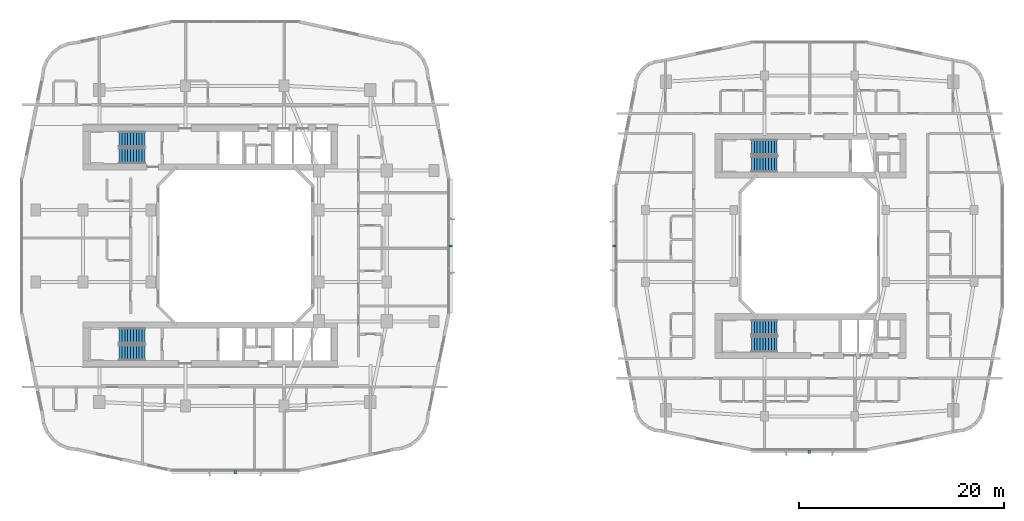
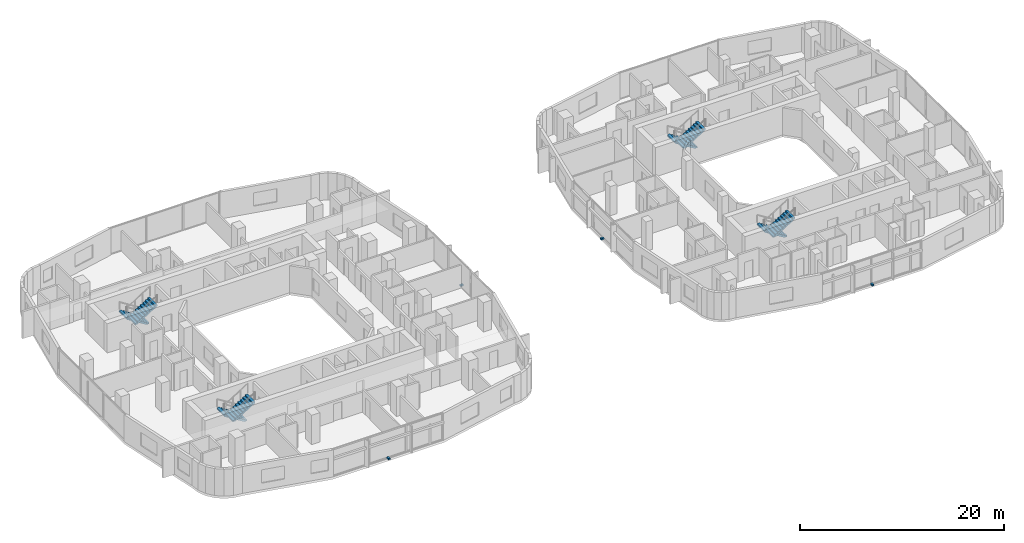
# One storey, part 22 of 27: 8 stair flights, 4 discrete accessories, 4 elements without a shape of their own.
"""IFC4 building model written with IfcOpenShell, lengths in metres."""

from ifc_helpers import new_model, si_unit, derived_unit, direction, frame, origin, origin_2d, place, context, subcontext, project, spatial, polyline, rectangle, outline, extrude, material, type_object, element, aggregate, save


model = new_model("IFC4")

# Units and contexts
model_context = context("Model", 3, precision=1e-05, world=origin(), true_north=direction((0.0, 1.0)))
body_context = subcontext(model_context, "Body", "Model", "MODEL_VIEW")
ifc_project = project(units=[si_unit("LENGTHUNIT", "METRE"), si_unit("AREAUNIT", "SQUARE_METRE"), si_unit("VOLUMEUNIT", "CUBIC_METRE"), si_unit("PLANEANGLEUNIT", "RADIAN"), si_unit("MASSUNIT", "GRAM", prefix="KILO"), derived_unit("THERMALTRANSMITTANCEUNIT", [(si_unit("POWERUNIT", "WATT"), 1), (si_unit("LENGTHUNIT", "METRE"), -2), (si_unit("THERMODYNAMICTEMPERATUREUNIT", "KELVIN"), -1)])], contexts=[model_context])

# Site, building, storey
site_placement = place(None, origin())
site = spatial("IfcSite", under=ifc_project, at=site_placement, CompositionType="ELEMENT")
building_placement = place(site_placement, origin())
building = spatial("IfcBuilding", under=site, at=building_placement, Name="Kivonza Crest Hotel", CompositionType="ELEMENT")
storey_placement = place(building_placement, frame((0.0, 0.0, 38.0)))
storey = spatial("IfcBuildingStorey", under=building, at=storey_placement, Name="L09", CompositionType="ELEMENT", Elevation=38.0)

# Stair, stair flights
ifc_material_1 = material(Name="Concrete C40/50", Category="concrete")
stair_type = type_object("IfcStairType", Name="ST-DL-20R", PredefinedType="HALF_TURN_STAIR", material=ifc_material_1)
stair_1_placement = place(storey_placement, origin())
stair_1 = element("IfcStair", 1, at=stair_1_placement, inside=storey, type_object=stair_type, Name="L09 Protected Exit Stair ST-T1-N", PredefinedType="HALF_TURN_STAIR")
stair_flight_type = type_object("IfcStairFlightType", Name="SFL-RC-10R", PredefinedType="STRAIGHT", material=ifc_material_1)
stair_flight_1_placement = place(storey_placement, frame((12.239990234375, 35.409912109375, 0.0), z_axis=(0.0, 0.0, 1.0), x_axis=(-1.0, 0.0, 0.0)))
stair_flight_1 = element("IfcStairFlight", 2, at=stair_flight_1_placement, type_object=stair_flight_type, Name="ST-T1-N flight 1", NumberOfRisers=10, NumberOfTreads=9, PredefinedType="STRAIGHT", RiserHeight=0.175, TreadLength=0.28, context=body_context, shape_type="SweptSolid", body=[
    extrude(outline(polyline([(0.0, 0.0), (0.0, 0.175048828125), (0.280029296875, 0.175048828125), (0.280029296875, 0.35009765625), (0.56005859375, 0.35009765625), (0.56005859375, 0.52490234375), (0.840087890625, 0.52490234375), (0.840087890625, 0.699951171875), (1.1201171875, 0.699951171875), (1.1201171875, 0.875), (1.39990234375, 0.875), (1.39990234375, 1.050048828125), (1.679931640625, 1.050048828125), (1.679931640625, 1.22509765625), (1.9599609375, 1.22509765625), (1.9599609375, 1.39990234375), (2.239990234375, 1.39990234375), (2.239990234375, 1.574951171875), (2.52001953125, 1.574951171875), (2.52001953125, 1.75), (2.52001953125, 1.398193359375), (0.28271484375, 0.0), (0.0, 0.0)])), frame((0.0, 0.75, 0.0), z_axis=(0.0, -1.0, 0.0), x_axis=(1.0, 0.0, 0.0)), (0.0, 0.0, 1.0), 1.5),
])
stair_flight_2_placement = place(storey_placement, frame((9.719970703125, 33.77001953125, 1.75), z_axis=(0.0, 0.0, 1.0), x_axis=(1.0, 0.0, 0.0)))
stair_flight_2 = element("IfcStairFlight", 3, at=stair_flight_2_placement, type_object=stair_flight_type, Name="ST-T1-N flight 2", NumberOfRisers=10, NumberOfTreads=9, PredefinedType="STRAIGHT", RiserHeight=0.175, TreadLength=0.28, context=body_context, shape_type="SweptSolid", body=[
    extrude(outline(polyline([(0.0, 0.0), (0.0, 0.175048828125), (0.280029296875, 0.175048828125), (0.280029296875, 0.35009765625), (0.56005859375, 0.35009765625), (0.56005859375, 0.52490234375), (0.840087890625, 0.52490234375), (0.840087890625, 0.699951171875), (1.1201171875, 0.699951171875), (1.1201171875, 0.875), (1.39990234375, 0.875), (1.39990234375, 1.050048828125), (1.679931640625, 1.050048828125), (1.679931640625, 1.22509765625), (1.9599609375, 1.22509765625), (1.9599609375, 1.39990234375), (2.239990234375, 1.39990234375), (2.239990234375, 1.574951171875), (2.52001953125, 1.574951171875), (2.52001953125, 1.75), (2.52001953125, 1.398193359375), (0.28271484375, 0.0), (0.0, 0.0)])), frame((0.0, 0.75, 0.0), z_axis=(0.0, -1.0, 0.0), x_axis=(1.0, 0.0, 0.0)), (0.0, 0.0, 1.0), 1.5),
])
aggregate(stair_1, [stair_flight_1, stair_flight_2])

stair_2_placement = place(storey_placement, origin())
stair_2 = element("IfcStair", 4, at=stair_2_placement, inside=storey, type_object=stair_type, Name="L09 Protected Exit Stair ST-T1-S", PredefinedType="HALF_TURN_STAIR")
stair_flight_3_placement = place(storey_placement, frame((12.239990234375, 16.25, 0.0), z_axis=(0.0, 0.0, 1.0), x_axis=(-1.0, 0.0, 0.0)))
stair_flight_3 = element("IfcStairFlight", 5, at=stair_flight_3_placement, type_object=stair_flight_type, Name="ST-T1-S flight 1", NumberOfRisers=10, NumberOfTreads=9, PredefinedType="STRAIGHT", RiserHeight=0.175, TreadLength=0.28, context=body_context, shape_type="SweptSolid", body=[
    extrude(outline(polyline([(0.0, 0.0), (0.0, 0.175048828125), (0.280029296875, 0.175048828125), (0.280029296875, 0.35009765625), (0.56005859375, 0.35009765625), (0.56005859375, 0.52490234375), (0.840087890625, 0.52490234375), (0.840087890625, 0.699951171875), (1.1201171875, 0.699951171875), (1.1201171875, 0.875), (1.39990234375, 0.875), (1.39990234375, 1.050048828125), (1.679931640625, 1.050048828125), (1.679931640625, 1.22509765625), (1.9599609375, 1.22509765625), (1.9599609375, 1.39990234375), (2.239990234375, 1.39990234375), (2.239990234375, 1.574951171875), (2.52001953125, 1.574951171875), (2.52001953125, 1.75), (2.52001953125, 1.398193359375), (0.28271484375, 0.0), (0.0, 0.0)])), frame((0.0, 0.75, 0.0), z_axis=(0.0, -1.0, 0.0), x_axis=(1.0, 0.0, 0.0)), (0.0, 0.0, 1.0), 1.5),
])
stair_flight_4_placement = place(storey_placement, frame((9.719970703125, 14.610107421875, 1.75), z_axis=(0.0, 0.0, 1.0), x_axis=(1.0, 0.0, 0.0)))
stair_flight_4 = element("IfcStairFlight", 6, at=stair_flight_4_placement, type_object=stair_flight_type, Name="ST-T1-S flight 2", NumberOfRisers=10, NumberOfTreads=9, PredefinedType="STRAIGHT", RiserHeight=0.175, TreadLength=0.28, context=body_context, shape_type="SweptSolid", body=[
    extrude(outline(polyline([(0.0, 0.0), (0.0, 0.175048828125), (0.280029296875, 0.175048828125), (0.280029296875, 0.35009765625), (0.56005859375, 0.35009765625), (0.56005859375, 0.52490234375), (0.840087890625, 0.52490234375), (0.840087890625, 0.699951171875), (1.1201171875, 0.699951171875), (1.1201171875, 0.875), (1.39990234375, 0.875), (1.39990234375, 1.050048828125), (1.679931640625, 1.050048828125), (1.679931640625, 1.22509765625), (1.9599609375, 1.22509765625), (1.9599609375, 1.39990234375), (2.239990234375, 1.39990234375), (2.239990234375, 1.574951171875), (2.52001953125, 1.574951171875), (2.52001953125, 1.75), (2.52001953125, 1.398193359375), (0.28271484375, 0.0), (0.0, 0.0)])), frame((0.0, 0.75, 0.0), z_axis=(0.0, -1.0, 0.0), x_axis=(1.0, 0.0, 0.0)), (0.0, 0.0, 1.0), 1.5),
])
aggregate(stair_2, [stair_flight_3, stair_flight_4])

stair_3_placement = place(storey_placement, origin())
stair_3 = element("IfcStair", 7, at=stair_3_placement, inside=storey, type_object=stair_type, Name="L09 Protected Exit Stair ST-T2-N", PredefinedType="HALF_TURN_STAIR")
stair_flight_5_placement = place(storey_placement, frame((73.840087890625, 34.610107421875, 0.0), z_axis=(0.0, 0.0, 1.0), x_axis=(-1.0, 0.0, 0.0)))
stair_flight_5 = element("IfcStairFlight", 8, at=stair_flight_5_placement, type_object=stair_flight_type, Name="ST-T2-N flight 1", NumberOfRisers=10, NumberOfTreads=9, PredefinedType="STRAIGHT", RiserHeight=0.175, TreadLength=0.28, context=body_context, shape_type="SweptSolid", body=[
    extrude(outline(polyline([(0.0, 0.0), (0.0, 0.175048828125), (0.280029296875, 0.175048828125), (0.280029296875, 0.35009765625), (0.56005859375, 0.35009765625), (0.56005859375, 0.52490234375), (0.840087890625, 0.52490234375), (0.840087890625, 0.699951171875), (1.1201171875, 0.699951171875), (1.1201171875, 0.875), (1.39990234375, 0.875), (1.39990234375, 1.050048828125), (1.679931640625, 1.050048828125), (1.679931640625, 1.22509765625), (1.9599609375, 1.22509765625), (1.9599609375, 1.39990234375), (2.239990234375, 1.39990234375), (2.239990234375, 1.574951171875), (2.52001953125, 1.574951171875), (2.52001953125, 1.75), (2.52001953125, 1.398193359375), (0.28271484375, 0.0), (0.0, 0.0)])), frame((0.0, 0.75, 0.0), z_axis=(0.0, -1.0, 0.0), x_axis=(1.0, 0.0, 0.0)), (0.0, 0.0, 1.0), 1.5),
])
stair_flight_6_placement = place(storey_placement, frame((71.320068359375, 32.969970703125, 1.75), z_axis=(0.0, 0.0, 1.0), x_axis=(1.0, 0.0, 0.0)))
stair_flight_6 = element("IfcStairFlight", 9, at=stair_flight_6_placement, type_object=stair_flight_type, Name="ST-T2-N flight 2", NumberOfRisers=10, NumberOfTreads=9, PredefinedType="STRAIGHT", RiserHeight=0.175, TreadLength=0.28, context=body_context, shape_type="SweptSolid", body=[
    extrude(outline(polyline([(0.0, 0.0), (0.0, 0.175048828125), (0.280029296875, 0.175048828125), (0.280029296875, 0.35009765625), (0.56005859375, 0.35009765625), (0.56005859375, 0.52490234375), (0.840087890625, 0.52490234375), (0.840087890625, 0.699951171875), (1.1201171875, 0.699951171875), (1.1201171875, 0.875), (1.39990234375, 0.875), (1.39990234375, 1.050048828125), (1.679931640625, 1.050048828125), (1.679931640625, 1.22509765625), (1.9599609375, 1.22509765625), (1.9599609375, 1.39990234375), (2.239990234375, 1.39990234375), (2.239990234375, 1.574951171875), (2.52001953125, 1.574951171875), (2.52001953125, 1.75), (2.52001953125, 1.398193359375), (0.28271484375, 0.0), (0.0, 0.0)])), frame((0.0, 0.75, 0.0), z_axis=(0.0, -1.0, 0.0), x_axis=(1.0, 0.0, 0.0)), (0.0, 0.0, 1.0), 1.5),
])
aggregate(stair_3, [stair_flight_5, stair_flight_6])

stair_4_placement = place(storey_placement, origin())
stair_4 = element("IfcStair", 10, at=stair_4_placement, inside=storey, type_object=stair_type, Name="L09 Protected Exit Stair ST-T2-S", PredefinedType="HALF_TURN_STAIR")
stair_flight_7_placement = place(storey_placement, frame((73.840087890625, 17.050048828125, 0.0), z_axis=(0.0, 0.0, 1.0), x_axis=(-1.0, 0.0, 0.0)))
stair_flight_7 = element("IfcStairFlight", 11, at=stair_flight_7_placement, type_object=stair_flight_type, Name="ST-T2-S flight 1", NumberOfRisers=10, NumberOfTreads=9, PredefinedType="STRAIGHT", RiserHeight=0.175, TreadLength=0.28, context=body_context, shape_type="SweptSolid", body=[
    extrude(outline(polyline([(0.0, 0.0), (0.0, 0.175048828125), (0.280029296875, 0.175048828125), (0.280029296875, 0.35009765625), (0.56005859375, 0.35009765625), (0.56005859375, 0.52490234375), (0.840087890625, 0.52490234375), (0.840087890625, 0.699951171875), (1.1201171875, 0.699951171875), (1.1201171875, 0.875), (1.39990234375, 0.875), (1.39990234375, 1.050048828125), (1.679931640625, 1.050048828125), (1.679931640625, 1.22509765625), (1.9599609375, 1.22509765625), (1.9599609375, 1.39990234375), (2.239990234375, 1.39990234375), (2.239990234375, 1.574951171875), (2.52001953125, 1.574951171875), (2.52001953125, 1.75), (2.52001953125, 1.398193359375), (0.28271484375, 0.0), (0.0, 0.0)])), frame((0.0, 0.75, 0.0), z_axis=(0.0, -1.0, 0.0), x_axis=(1.0, 0.0, 0.0)), (0.0, 0.0, 1.0), 1.5),
])
stair_flight_8_placement = place(storey_placement, frame((71.320068359375, 15.409912109375, 1.75), z_axis=(0.0, 0.0, 1.0), x_axis=(1.0, 0.0, 0.0)))
stair_flight_8 = element("IfcStairFlight", 12, at=stair_flight_8_placement, type_object=stair_flight_type, Name="ST-T2-S flight 2", NumberOfRisers=10, NumberOfTreads=9, PredefinedType="STRAIGHT", RiserHeight=0.175, TreadLength=0.28, context=body_context, shape_type="SweptSolid", body=[
    extrude(outline(polyline([(0.0, 0.0), (0.0, 0.175048828125), (0.280029296875, 0.175048828125), (0.280029296875, 0.35009765625), (0.56005859375, 0.35009765625), (0.56005859375, 0.52490234375), (0.840087890625, 0.52490234375), (0.840087890625, 0.699951171875), (1.1201171875, 0.699951171875), (1.1201171875, 0.875), (1.39990234375, 0.875), (1.39990234375, 1.050048828125), (1.679931640625, 1.050048828125), (1.679931640625, 1.22509765625), (1.9599609375, 1.22509765625), (1.9599609375, 1.39990234375), (2.239990234375, 1.39990234375), (2.239990234375, 1.574951171875), (2.52001953125, 1.574951171875), (2.52001953125, 1.75), (2.52001953125, 1.398193359375), (0.28271484375, 0.0), (0.0, 0.0)])), frame((0.0, 0.75, 0.0), z_axis=(0.0, -1.0, 0.0), x_axis=(1.0, 0.0, 0.0)), (0.0, 0.0, 1.0), 1.5),
])
aggregate(stair_4, [stair_flight_7, stair_flight_8])

# Discrete accessories
ifc_material_2 = material(Name="Stainless steel 316", Category="steel")
discrete_accessory_type = type_object("IfcDiscreteAccessoryType", Name="AC-BRACKET-240", PredefinedType="BRACKET", material=ifc_material_2)
for number, where, z_axis, x_axis, name in (
    (13, (21.0400390625, 2.9599609375, -0.009765625), (0.0, 0.0, 1.0), (1.0, 0.0, 0.0), "L09 terracotta baguette support bracket CW-T1-L09-08"),
    (14, (42.0400390625, 25.0, -0.009765625), (0.0, 0.0, 1.0), (0.0, 1.0, 0.0), "L09 terracotta baguette support bracket CW-T1-L09-17"),
    (15, (76.9599609375, 4.9599609375, -0.009765625), (0.0, 0.0, 1.0), (1.0, 0.0, 0.0), "L09 terracotta baguette support bracket CW-T2-L09-08"),
    (16, (57.9599609375, 25.0, -0.009765625), (0.0, 0.0, 1.0), (0.0, -1.0, 0.0), "L09 terracotta baguette support bracket CW-T2-L09-35"),
):
    element("IfcDiscreteAccessory", number, at=place(storey_placement, frame(where, z_axis=z_axis, x_axis=x_axis)), inside=storey, type_object=discrete_accessory_type, Name=name, PredefinedType="BRACKET", context=body_context, shape_type="SweptSolid", body=[
        extrude(rectangle(XDim=0.219970703125, YDim=0.340087890625, at=origin_2d()), origin(), (0.0, 0.0, 1.0), 0.179931640625),
    ])

save(model, "model.ifc")
